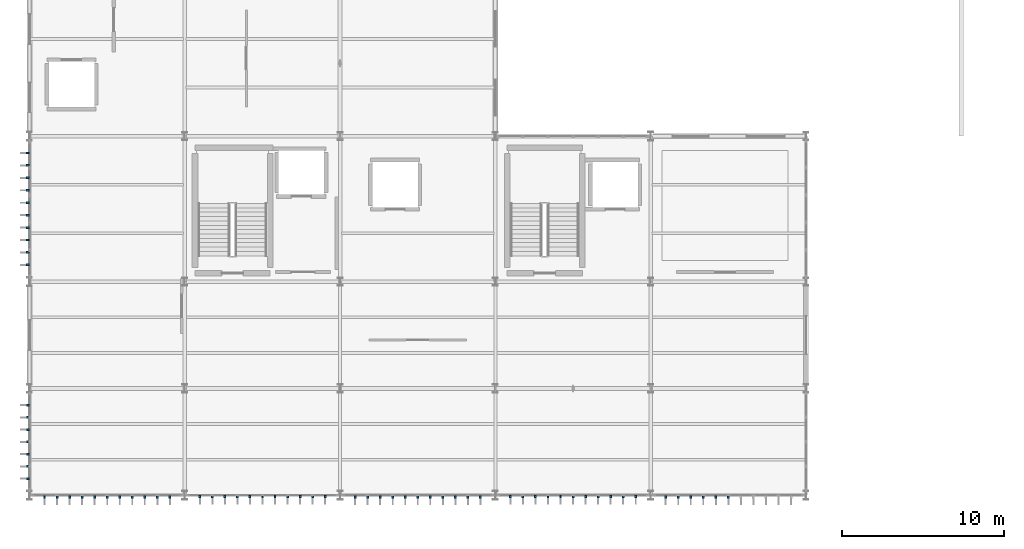
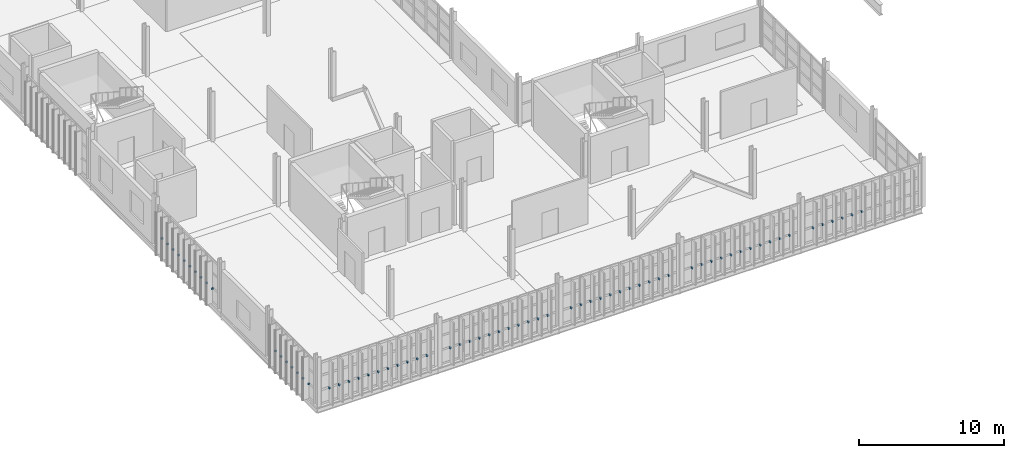
# One storey, part 34 of 52: 67 discrete accessories.
"""IFC4 building model written with IfcOpenShell, lengths in metres."""

from ifc_helpers import new_model, si_unit, direction, frame, origin, origin_2d, place, context, subcontext, project, spatial, rectangle, extrude, material, type_object, element, save


model = new_model("IFC4")

# Units and contexts
model_context = context("Model", 3, precision=1e-05, world=origin(), true_north=direction((0.0, 1.0)))
body_context = subcontext(model_context, "Body", "Model", "MODEL_VIEW")
ifc_project = project(units=[si_unit("LENGTHUNIT", "METRE"), si_unit("AREAUNIT", "SQUARE_METRE"), si_unit("VOLUMEUNIT", "CUBIC_METRE"), si_unit("PLANEANGLEUNIT", "RADIAN"), si_unit("MASSUNIT", "GRAM", prefix="KILO")], contexts=[model_context])

# Site, building, storey
site_placement = place(None, origin())
site = spatial("IfcSite", under=ifc_project, at=site_placement, CompositionType="ELEMENT")
building_placement = place(site_placement, origin())
building = spatial("IfcBuilding", under=site, at=building_placement, Name="Zarnetskaya Central Station", CompositionType="ELEMENT")
storey_placement = place(building_placement, frame((0.0, 0.0, 14.39990234375)))
storey = spatial("IfcBuildingStorey", under=building, at=storey_placement, Name="L03", CompositionType="ELEMENT", Elevation=14.39990234375)

# Discrete accessories
ifc_material = material(Name="Steel S355", Category="steel")
discrete_accessory_type = type_object("IfcDiscreteAccessoryType", Name="ACC-FIN-BRACKET", PredefinedType="BRACKET", material=ifc_material)
for number, where, z_axis, x_axis, name in (
    (1, (-0.090087890625, 1.03125, 1.150146484375), (0.0, 0.0, 1.0), (0.0, 1.0, 0.0), "Timber fin fixing bracket CW-L03-031-01"),
    (2, (-0.090087890625, 1.78759765625, 1.150146484375), (0.0, 0.0, 1.0), (0.0, 1.0, 0.0), "Timber fin fixing bracket CW-L03-031-02"),
    (3, (-0.090087890625, 2.543701171875, 1.150146484375), (0.0, 0.0, 1.0), (0.0, 1.0, 0.0), "Timber fin fixing bracket CW-L03-031-03"),
    (4, (-0.090087890625, 3.300048828125, 1.150146484375), (0.0, 0.0, 1.0), (0.0, 1.0, 0.0), "Timber fin fixing bracket CW-L03-031-04"),
    (5, (-0.090087890625, 4.05615234375, 1.150146484375), (0.0, 0.0, 1.0), (0.0, 1.0, 0.0), "Timber fin fixing bracket CW-L03-031-05"),
    (6, (-0.090087890625, 4.8125, 1.150146484375), (0.0, 0.0, 1.0), (0.0, 1.0, 0.0), "Timber fin fixing bracket CW-L03-031-06"),
    (7, (-0.090087890625, 5.56884765625, 1.150146484375), (0.0, 0.0, 1.0), (0.0, 1.0, 0.0), "Timber fin fixing bracket CW-L03-031-07"),
    (8, (-0.110107421875, 14.2431640625, 1.150146484375), (0.0, 0.0, 1.0), (0.0, 1.0, 0.0), "Timber fin fixing bracket CW-L03-032-01"),
    (9, (-0.110107421875, 15.011474609375, 1.150146484375), (0.0, 0.0, 1.0), (0.0, 1.0, 0.0), "Timber fin fixing bracket CW-L03-032-02"),
    (10, (-0.110107421875, 15.779541015625, 1.150146484375), (0.0, 0.0, 1.0), (0.0, 1.0, 0.0), "Timber fin fixing bracket CW-L03-032-03"),
    (11, (-0.110107421875, 16.547607421875, 1.150146484375), (0.0, 0.0, 1.0), (0.0, 1.0, 0.0), "Timber fin fixing bracket CW-L03-032-04"),
    (12, (-0.110107421875, 17.31591796875, 1.150146484375), (0.0, 0.0, 1.0), (0.0, 1.0, 0.0), "Timber fin fixing bracket CW-L03-032-05"),
    (13, (-0.110107421875, 18.083984375, 1.150146484375), (0.0, 0.0, 1.0), (0.0, 1.0, 0.0), "Timber fin fixing bracket CW-L03-032-06"),
    (14, (-0.110107421875, 18.852294921875, 1.150146484375), (0.0, 0.0, 1.0), (0.0, 1.0, 0.0), "Timber fin fixing bracket CW-L03-032-07"),
    (15, (-0.110107421875, 19.620361328125, 1.150146484375), (0.0, 0.0, 1.0), (0.0, 1.0, 0.0), "Timber fin fixing bracket CW-L03-032-08"),
    (16, (-0.110107421875, 20.388671875, 1.150146484375), (0.0, 0.0, 1.0), (0.0, 1.0, 0.0), "Timber fin fixing bracket CW-L03-032-09"),
    (17, (-0.110107421875, 21.15673828125, 1.150146484375), (0.0, 0.0, 1.0), (0.0, 1.0, 0.0), "Timber fin fixing bracket CW-L03-032-10"),
    (18, (43.199951171875, -0.110107421875, 1.150146484375), (0.0, 0.0, 1.0), (-1.0, 0.0, 0.0), "Timber fin fixing bracket CW-L03-042-06"),
    (19, (42.425048828125, -0.110107421875, 1.150146484375), (0.0, 0.0, 1.0), (-1.0, 0.0, 0.0), "Timber fin fixing bracket CW-L03-042-07"),
    (20, (41.64990234375, -0.110107421875, 1.150146484375), (0.0, 0.0, 1.0), (-1.0, 0.0, 0.0), "Timber fin fixing bracket CW-L03-042-08"),
    (21, (40.875, -0.110107421875, 1.150146484375), (0.0, 0.0, 1.0), (-1.0, 0.0, 0.0), "Timber fin fixing bracket CW-L03-042-09"),
    (22, (40.10009765625, -0.110107421875, 1.150146484375), (0.0, 0.0, 1.0), (-1.0, 0.0, 0.0), "Timber fin fixing bracket CW-L03-042-10"),
    (23, (39.324951171875, -0.110107421875, 1.150146484375), (0.0, 0.0, 1.0), (-1.0, 0.0, 0.0), "Timber fin fixing bracket CW-L03-042-11"),
    (24, (37.47509765625, -0.090087890625, 1.150146484375), (0.0, 0.0, 1.0), (-1.0, 0.0, 0.0), "Timber fin fixing bracket CW-L03-043-01"),
    (25, (36.699951171875, -0.090087890625, 1.150146484375), (0.0, 0.0, 1.0), (-1.0, 0.0, 0.0), "Timber fin fixing bracket CW-L03-043-02"),
    (26, (35.925048828125, -0.090087890625, 1.150146484375), (0.0, 0.0, 1.0), (-1.0, 0.0, 0.0), "Timber fin fixing bracket CW-L03-043-03"),
    (27, (35.14990234375, -0.090087890625, 1.150146484375), (0.0, 0.0, 1.0), (-1.0, 0.0, 0.0), "Timber fin fixing bracket CW-L03-043-04"),
    (28, (34.375, -0.090087890625, 1.150146484375), (0.0, 0.0, 1.0), (-1.0, 0.0, 0.0), "Timber fin fixing bracket CW-L03-043-05"),
    (29, (33.60009765625, -0.090087890625, 1.150146484375), (0.0, 0.0, 1.0), (-1.0, 0.0, 0.0), "Timber fin fixing bracket CW-L03-043-06"),
    (30, (32.824951171875, -0.090087890625, 1.150146484375), (0.0, 0.0, 1.0), (-1.0, 0.0, 0.0), "Timber fin fixing bracket CW-L03-043-07"),
    (31, (32.050048828125, -0.090087890625, 1.150146484375), (0.0, 0.0, 1.0), (-1.0, 0.0, 0.0), "Timber fin fixing bracket CW-L03-043-08"),
    (32, (31.27490234375, -0.090087890625, 1.150146484375), (0.0, 0.0, 1.0), (-1.0, 0.0, 0.0), "Timber fin fixing bracket CW-L03-043-09"),
    (33, (30.5, -0.090087890625, 1.150146484375), (0.0, 0.0, 1.0), (-1.0, 0.0, 0.0), "Timber fin fixing bracket CW-L03-043-10"),
    (34, (29.72509765625, -0.090087890625, 1.150146484375), (0.0, 0.0, 1.0), (-1.0, 0.0, 0.0), "Timber fin fixing bracket CW-L03-043-11"),
    (35, (27.875, -0.110107421875, 1.150146484375), (0.0, 0.0, 1.0), (-1.0, 0.0, 0.0), "Timber fin fixing bracket CW-L03-044-01"),
    (36, (27.10009765625, -0.110107421875, 1.150146484375), (0.0, 0.0, 1.0), (-1.0, 0.0, 0.0), "Timber fin fixing bracket CW-L03-044-02"),
    (37, (26.324951171875, -0.110107421875, 1.150146484375), (0.0, 0.0, 1.0), (-1.0, 0.0, 0.0), "Timber fin fixing bracket CW-L03-044-03"),
    (38, (25.550048828125, -0.110107421875, 1.150146484375), (0.0, 0.0, 1.0), (-1.0, 0.0, 0.0), "Timber fin fixing bracket CW-L03-044-04"),
    (39, (24.77490234375, -0.110107421875, 1.150146484375), (0.0, 0.0, 1.0), (-1.0, 0.0, 0.0), "Timber fin fixing bracket CW-L03-044-05"),
    (40, (24.0, -0.110107421875, 1.150146484375), (0.0, 0.0, 1.0), (-1.0, 0.0, 0.0), "Timber fin fixing bracket CW-L03-044-06"),
    (41, (23.22509765625, -0.110107421875, 1.150146484375), (0.0, 0.0, 1.0), (-1.0, 0.0, 0.0), "Timber fin fixing bracket CW-L03-044-07"),
    (42, (22.449951171875, -0.110107421875, 1.150146484375), (0.0, 0.0, 1.0), (-1.0, 0.0, 0.0), "Timber fin fixing bracket CW-L03-044-08"),
    (43, (21.675048828125, -0.110107421875, 1.150146484375), (0.0, 0.0, 1.0), (-1.0, 0.0, 0.0), "Timber fin fixing bracket CW-L03-044-09"),
    (44, (20.89990234375, -0.110107421875, 1.150146484375), (0.0, 0.0, 1.0), (-1.0, 0.0, 0.0), "Timber fin fixing bracket CW-L03-044-10"),
    (45, (20.125, -0.110107421875, 1.150146484375), (0.0, 0.0, 1.0), (-1.0, 0.0, 0.0), "Timber fin fixing bracket CW-L03-044-11"),
    (46, (18.27490234375, -0.090087890625, 1.150146484375), (0.0, 0.0, 1.0), (-1.0, 0.0, 0.0), "Timber fin fixing bracket CW-L03-045-01"),
    (47, (17.5, -0.090087890625, 1.150146484375), (0.0, 0.0, 1.0), (-1.0, 0.0, 0.0), "Timber fin fixing bracket CW-L03-045-02"),
    (48, (16.72509765625, -0.090087890625, 1.150146484375), (0.0, 0.0, 1.0), (-1.0, 0.0, 0.0), "Timber fin fixing bracket CW-L03-045-03"),
    (49, (15.949951171875, -0.090087890625, 1.150146484375), (0.0, 0.0, 1.0), (-1.0, 0.0, 0.0), "Timber fin fixing bracket CW-L03-045-04"),
    (50, (15.175048828125, -0.090087890625, 1.150146484375), (0.0, 0.0, 1.0), (-1.0, 0.0, 0.0), "Timber fin fixing bracket CW-L03-045-05"),
    (51, (14.39990234375, -0.090087890625, 1.150146484375), (0.0, 0.0, 1.0), (-1.0, 0.0, 0.0), "Timber fin fixing bracket CW-L03-045-06"),
    (52, (13.625, -0.090087890625, 1.150146484375), (0.0, 0.0, 1.0), (-1.0, 0.0, 0.0), "Timber fin fixing bracket CW-L03-045-07"),
    (53, (12.85009765625, -0.090087890625, 1.150146484375), (0.0, 0.0, 1.0), (-1.0, 0.0, 0.0), "Timber fin fixing bracket CW-L03-045-08"),
    (54, (12.074951171875, -0.090087890625, 1.150146484375), (0.0, 0.0, 1.0), (-1.0, 0.0, 0.0), "Timber fin fixing bracket CW-L03-045-09"),
    (55, (11.300048828125, -0.090087890625, 1.150146484375), (0.0, 0.0, 1.0), (-1.0, 0.0, 0.0), "Timber fin fixing bracket CW-L03-045-10"),
    (56, (10.52490234375, -0.090087890625, 1.150146484375), (0.0, 0.0, 1.0), (-1.0, 0.0, 0.0), "Timber fin fixing bracket CW-L03-045-11"),
    (57, (8.675048828125, -0.110107421875, 1.150146484375), (0.0, 0.0, 1.0), (-1.0, 0.0, 0.0), "Timber fin fixing bracket CW-L03-046-01"),
    (58, (7.89990234375, -0.110107421875, 1.150146484375), (0.0, 0.0, 1.0), (-1.0, 0.0, 0.0), "Timber fin fixing bracket CW-L03-046-02"),
    (59, (7.125, -0.110107421875, 1.150146484375), (0.0, 0.0, 1.0), (-1.0, 0.0, 0.0), "Timber fin fixing bracket CW-L03-046-03"),
    (60, (6.35009765625, -0.110107421875, 1.150146484375), (0.0, 0.0, 1.0), (-1.0, 0.0, 0.0), "Timber fin fixing bracket CW-L03-046-04"),
    (61, (5.574951171875, -0.110107421875, 1.150146484375), (0.0, 0.0, 1.0), (-1.0, 0.0, 0.0), "Timber fin fixing bracket CW-L03-046-05"),
    (62, (4.800048828125, -0.110107421875, 1.150146484375), (0.0, 0.0, 1.0), (-1.0, 0.0, 0.0), "Timber fin fixing bracket CW-L03-046-06"),
    (63, (4.02490234375, -0.110107421875, 1.150146484375), (0.0, 0.0, 1.0), (-1.0, 0.0, 0.0), "Timber fin fixing bracket CW-L03-046-07"),
    (64, (3.25, -0.110107421875, 1.150146484375), (0.0, 0.0, 1.0), (-1.0, 0.0, 0.0), "Timber fin fixing bracket CW-L03-046-08"),
    (65, (2.47509765625, -0.110107421875, 1.150146484375), (0.0, 0.0, 1.0), (-1.0, 0.0, 0.0), "Timber fin fixing bracket CW-L03-046-09"),
    (66, (1.699951171875, -0.110107421875, 1.150146484375), (0.0, 0.0, 1.0), (-1.0, 0.0, 0.0), "Timber fin fixing bracket CW-L03-046-10"),
    (67, (0.925048828125, -0.110107421875, 1.150146484375), (0.0, 0.0, 1.0), (-1.0, 0.0, 0.0), "Timber fin fixing bracket CW-L03-046-11"),
):
    element("IfcDiscreteAccessory", number, at=place(storey_placement, frame(where, z_axis=z_axis, x_axis=x_axis)), inside=storey, type_object=discrete_accessory_type, Name=name, PredefinedType="BRACKET", context=body_context, shape_type="SweptSolid", body=[
        extrude(rectangle(XDim=0.1201171875, YDim=0.159912109375, at=origin_2d()), origin(), (0.0, 0.0, 1.0), 0.1201171875),
    ])

save(model, "model.ifc")
